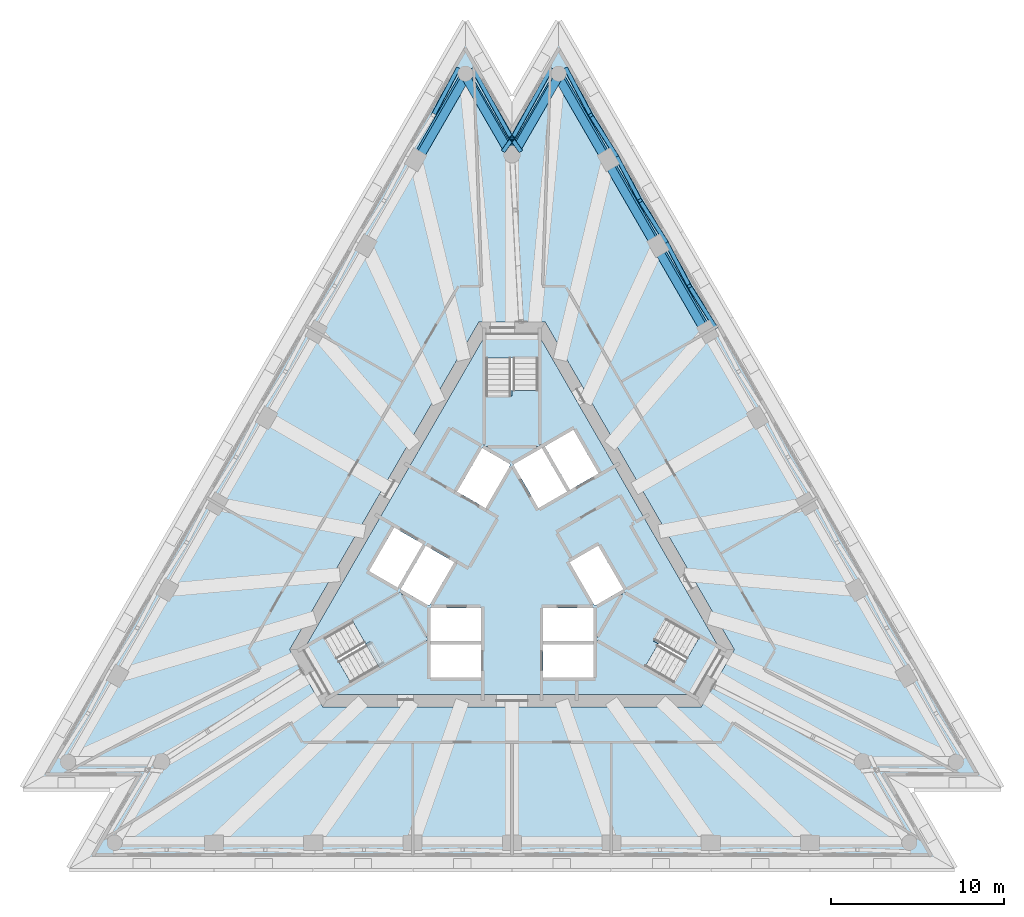
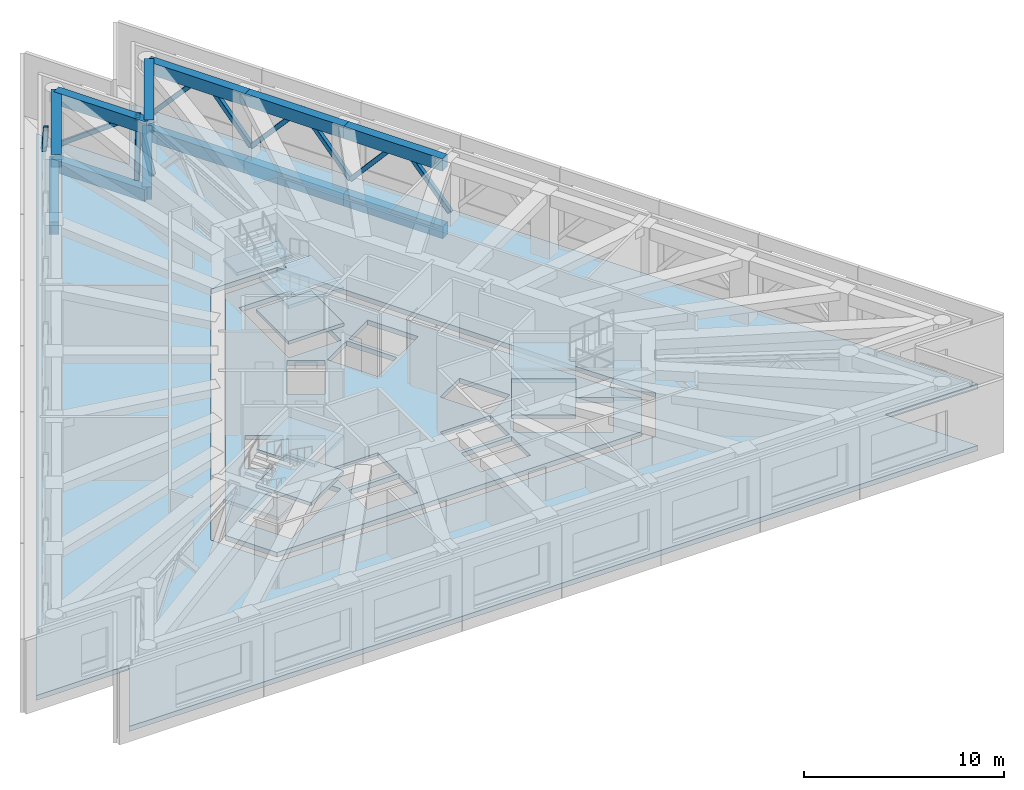
# One storey, part 4 of 12: 12 beams, 11 members, 11 slabs, 3 elements without a shape of their own.
"""IFC4 building model written with IfcOpenShell, lengths in metres."""

from ifc_helpers import new_model, si_unit, direction, frame, origin, origin_2d, place, context, subcontext, project, spatial, polyline, rectangle, hollow_rectangle, outline, extrude, material, layer, layer_set, material_profile, profile_set, type_object, element, aggregate, save


model = new_model("IFC4")

# Units and contexts
model_context = context("Model", 3, precision=1e-05, world=origin(), true_north=direction((0.0, 1.0)))
body_context = subcontext(model_context, "Body", "Model", "MODEL_VIEW")
ifc_project = project(units=[si_unit("LENGTHUNIT", "METRE"), si_unit("AREAUNIT", "SQUARE_METRE"), si_unit("VOLUMEUNIT", "CUBIC_METRE"), si_unit("PLANEANGLEUNIT", "RADIAN"), si_unit("MASSUNIT", "GRAM", prefix="KILO")], contexts=[model_context])

# Site, building, storey
site_placement = place(None, origin())
site = spatial("IfcSite", under=ifc_project, at=site_placement, CompositionType="ELEMENT")
building_placement = place(site_placement, origin())
building = spatial("IfcBuilding", under=site, at=building_placement, Name="Triada Interchange Tower", CompositionType="ELEMENT")
storey_placement = place(building_placement, frame((0.0, 0.0, 251.300048828125)))
storey = spatial("IfcBuildingStorey", under=building, at=storey_placement, Name="L59", CompositionType="ELEMENT", Elevation=251.300048828125)

# Members
ifc_material_1 = material(Name="Steel S355", Category="steel")
ifc_material_profile_1 = material_profile(ifc_material_1, hollow_rectangle(XDim=0.25, YDim=0.25, WallThickness=0.012451171875, InnerFilletRadius=0.012451171875, OuterFilletRadius=0.018798828125, at=origin_2d()), Name="RHS 250x250x12.5")
ifc_profile_set_1 = profile_set([ifc_material_profile_1], Name="Steel S355")
member_type = type_object("IfcMemberType", Name="Belt truss diagonal RHS 250x250x12.5", PredefinedType="BRACE", material=ifc_profile_set_1)
member_1_placement = place(storey_placement, frame((-3.132080078125, 28.26806640625, 0.14990234375), z_axis=(-0.311246944388, -0.587310391504, 0.747122375278), x_axis=(0.883590057586, -0.468261262689, 0.0)))
element("IfcMember", 1, at=member_1_placement, inside=storey, type_object=member_type, Name="Belt truss diagonal 001 L59", PredefinedType="BRACE", context=body_context, shape_type="SweptSolid", body=[
    extrude(hollow_rectangle(XDim=0.25, YDim=0.25, WallThickness=0.012451171875, InnerFilletRadius=0.012451171875, OuterFilletRadius=0.018798828125, at=origin_2d()), origin(), (0.0, 0.0, 1.0), 4.517333984375),
])
member_2_placement = place(storey_placement, frame((11.72509765625, 13.384033203125, 0.14990234375), z_axis=(-0.340973984833, 0.541154406457, 0.768692819037), x_axis=(-0.846058581789, -0.533089932545, 0.0)))
element("IfcMember", 2, at=member_2_placement, inside=storey, type_object=member_type, Name="Belt truss diagonal 051 L59", PredefinedType="BRACE", context=body_context, shape_type="SweptSolid", body=[
    extrude(hollow_rectangle(XDim=0.25, YDim=0.25, WallThickness=0.012451171875, InnerFilletRadius=0.012451171875, OuterFilletRadius=0.018798828125, at=origin_2d()), origin(), (0.0, 0.0, 1.0), 4.390625),
])
member_3_placement = place(storey_placement, frame((8.861083984375, 18.344970703125, 0.14990234375), z_axis=(0.306108274129, -0.578866655916, 0.755785101189), x_axis=(0.884009183031, 0.467469533036, 0.0)))
element("IfcMember", 3, at=member_3_placement, inside=storey, type_object=member_type, Name="Belt truss diagonal 052 L59", PredefinedType="BRACE", context=body_context, shape_type="SweptSolid", body=[
    extrude(hollow_rectangle(XDim=0.25, YDim=0.25, WallThickness=0.012451171875, InnerFilletRadius=0.012451171875, OuterFilletRadius=0.018798828125, at=origin_2d()), origin(), (0.0, 0.0, 1.0), 4.465576171875),
])
member_4_placement = place(storey_placement, frame((8.861083984375, 18.345947265625, 0.14990234375), z_axis=(-0.338743550582, 0.536409191273, 0.772992876072), x_axis=(-0.845518223273, -0.533946564848, 0.0)))
element("IfcMember", 4, at=member_4_placement, inside=storey, type_object=member_type, Name="Belt truss diagonal 053 L59", PredefinedType="BRACE", context=body_context, shape_type="SweptSolid", body=[
    extrude(hollow_rectangle(XDim=0.25, YDim=0.25, WallThickness=0.012451171875, InnerFilletRadius=0.012451171875, OuterFilletRadius=0.018798828125, at=origin_2d()), origin(), (0.0, 0.0, 1.0), 4.3662109375),
])
member_5_placement = place(storey_placement, frame((5.99609375, 23.30810546875, 0.14990234375), z_axis=(0.308556702414, -0.583306417175, 0.751363018173), x_axis=(0.883946141034, 0.467588729282, 0.0)))
element("IfcMember", 5, at=member_5_placement, inside=storey, type_object=member_type, Name="Belt truss diagonal 054 L59", PredefinedType="BRACE", context=body_context, shape_type="SweptSolid", body=[
    extrude(hollow_rectangle(XDim=0.25, YDim=0.25, WallThickness=0.012451171875, InnerFilletRadius=0.012451171875, OuterFilletRadius=0.018798828125, at=origin_2d()), origin(), (0.0, 0.0, 1.0), 4.491943359375),
])
member_6_placement = place(storey_placement, frame((5.99609375, 23.306884765625, 0.14990234375), z_axis=(-0.335873730977, 0.531706338356, 0.777481322343), x_axis=(-0.845446400215, -0.534060281583, 0.0)))
element("IfcMember", 6, at=member_6_placement, inside=storey, type_object=member_type, Name="Belt truss diagonal 055 L59", PredefinedType="BRACE", context=body_context, shape_type="SweptSolid", body=[
    extrude(hollow_rectangle(XDim=0.25, YDim=0.25, WallThickness=0.012451171875, InnerFilletRadius=0.012451171875, OuterFilletRadius=0.018798828125, at=origin_2d()), origin(), (0.0, 0.0, 1.0), 4.3408203125),
])
member_7_placement = place(storey_placement, frame((3.132080078125, 28.26806640625, 0.14990234375), z_axis=(0.311246944388, -0.587310391504, 0.747122375278), x_axis=(0.883590057586, 0.468261262689, 0.0)))
element("IfcMember", 7, at=member_7_placement, inside=storey, type_object=member_type, Name="Belt truss diagonal 056 L59", PredefinedType="BRACE", context=body_context, shape_type="SweptSolid", body=[
    extrude(hollow_rectangle(XDim=0.25, YDim=0.25, WallThickness=0.012451171875, InnerFilletRadius=0.012451171875, OuterFilletRadius=0.018798828125, at=origin_2d()), origin(), (0.0, 0.0, 1.0), 4.517333984375),
])
member_8_placement = place(storey_placement, frame((2.239990234375, 28.26904296875, 0.14990234375), z_axis=(-0.389192631569, -0.702632312927, 0.595681901994), x_axis=(0.874768967391, -0.484540249814, 0.0)))
element("IfcMember", 8, at=member_8_placement, inside=storey, type_object=member_type, Name="Belt truss diagonal 057 L59", PredefinedType="BRACE", context=body_context, shape_type="SweptSolid", body=[
    extrude(hollow_rectangle(XDim=0.25, YDim=0.25, WallThickness=0.012451171875, InnerFilletRadius=0.012451171875, OuterFilletRadius=0.018798828125, at=origin_2d()), origin(), (0.0, 0.0, 1.0), 5.665771484375),
])
for number, where, z_axis, x_axis, name in (
    (9, (-0.446044921875, 23.616943359375, 0.14990234375), (0.138423518178, 0.193160533742, 0.971353662586), (-0.812833460652, 0.582496150412, 0.0), "Belt truss diagonal 058 L59"),
    (10, (0.446044921875, 23.616943359375, 0.14990234375), (-0.138423518178, 0.193160533742, 0.971353662586), (-0.812833460652, -0.582496150412, 0.0), "Belt truss diagonal 059 L59"),
):
    element("IfcMember", number, at=place(storey_placement, frame(where, z_axis=z_axis, x_axis=x_axis)), inside=storey, type_object=member_type, Name=name, PredefinedType="BRACE", context=body_context, shape_type="SweptSolid", body=[
        extrude(hollow_rectangle(XDim=0.25, YDim=0.25, WallThickness=0.012451171875, InnerFilletRadius=0.012451171875, OuterFilletRadius=0.018798828125, at=origin_2d()), origin(), (0.0, 0.0, 1.0), 3.474609375),
    ])
member_9_placement = place(storey_placement, frame((-2.239990234375, 28.26904296875, 0.14990234375), z_axis=(0.389192631569, -0.702632312927, 0.595681901994), x_axis=(0.874768967391, 0.484540249814, 0.0)))
element("IfcMember", 11, at=member_9_placement, inside=storey, type_object=member_type, Name="Belt truss diagonal 060 L59", PredefinedType="BRACE", context=body_context, shape_type="SweptSolid", body=[
    extrude(hollow_rectangle(XDim=0.25, YDim=0.25, WallThickness=0.012451171875, InnerFilletRadius=0.012451171875, OuterFilletRadius=0.018798828125, at=origin_2d()), origin(), (0.0, 0.0, 1.0), 5.665771484375),
])

# Beams
ifc_material_2 = material(Name="Concrete C50/60", Category="concrete")
ifc_material_profile_2 = material_profile(ifc_material_2, rectangle(XDim=0.5, YDim=0.75, at=origin_2d()), Name="RC 500x750")
ifc_profile_set_2 = profile_set([ifc_material_profile_2], Name="Concrete C50/60")
beam_type = type_object("IfcBeamType", Name="Spandrel beam C RC 500x750", PredefinedType="BEAM", material=ifc_profile_set_2)
for number, where, z_axis, x_axis, name in (
    (12, (-2.68603515625, 28.010986328125, -0.675048828125), (-0.499975787251, -0.86603938257, 0.0), (0.86603938257, -0.499975787251, 0.0), "Spandrel beam EC01 L59"),
    (13, (11.279052734375, 13.126953125, -0.675048828125), (-0.499975787251, 0.86603938257, 0.0), (-0.86603938257, -0.499975787251, 0.0), "Spandrel beam EC26 L59"),
):
    element("IfcBeam", number, at=place(storey_placement, frame(where, z_axis=z_axis, x_axis=x_axis)), inside=storey, type_object=beam_type, Name=name, PredefinedType="BEAM", context=body_context, shape_type="SweptSolid", body=[
        extrude(rectangle(XDim=0.5, YDim=0.75, at=origin_2d()), origin(), (0.0, 0.0, 1.0), 5.728271484375),
    ])
beam_1_placement = place(storey_placement, frame((8.4150390625, 18.087890625, -0.675048828125), z_axis=(-0.500011369369, 0.866018839577, 0.0), x_axis=(-0.866018839577, -0.500011369369, 0.0)))
element("IfcBeam", 14, at=beam_1_placement, inside=storey, type_object=beam_type, Name="Spandrel beam EC27 L59", PredefinedType="BEAM", context=body_context, shape_type="SweptSolid", body=[
    extrude(rectangle(XDim=0.5, YDim=0.75, at=origin_2d()), origin(), (0.0, 0.0, 1.0), 5.729736328125),
])
beam_2_placement = place(storey_placement, frame((5.550048828125, 23.050048828125, -0.675048828125), z_axis=(-0.499975787251, 0.86603938257, 0.0), x_axis=(-0.86603938257, -0.499975787251, 0.0)))
element("IfcBeam", 15, at=beam_2_placement, inside=storey, type_object=beam_type, Name="Spandrel beam EC28 L59", PredefinedType="BEAM", context=body_context, shape_type="SweptSolid", body=[
    extrude(rectangle(XDim=0.5, YDim=0.75, at=origin_2d()), origin(), (0.0, 0.0, 1.0), 5.728271484375),
])
for number, where, z_axis, x_axis, name in (
    (16, (2.68603515625, 28.010986328125, -0.675048828125), (-0.500020131808, -0.866013780368, 0.0), (0.866013780368, -0.500020131808, 0.0), "Spandrel beam EC29 L59"),
    (17, (0.0, 23.35888671875, -0.675048828125), (-0.500020131808, 0.866013780368, 0.0), (-0.866013780368, -0.500020131808, 0.0), "Spandrel beam EC30 L59"),
):
    element("IfcBeam", number, at=place(storey_placement, frame(where, z_axis=z_axis, x_axis=x_axis)), inside=storey, type_object=beam_type, Name=name, PredefinedType="BEAM", context=body_context, shape_type="SweptSolid", body=[
        extrude(rectangle(XDim=0.5, YDim=0.75, at=origin_2d()), origin(), (0.0, 0.0, 1.0), 5.371826171875),
    ])
for number, where, z_axis, x_axis, name in (
    (18, (-2.6689453125, 27.821044921875, 3.52490234375), (-0.500048088601, -0.865997638038, 0.0), (0.865997638038, -0.500048088601, 0.0), "Spandrel beam EC01 L60"),
    (19, (11.2041015625, 13.0390625, 3.52490234375), (-0.500080269151, 0.865979055408, 0.0), (-0.865979055408, -0.500080269151, 0.0), "Spandrel beam EC26 L60"),
):
    element("IfcBeam", number, at=place(storey_placement, frame(where, z_axis=z_axis, x_axis=x_axis)), inside=storey, type_object=beam_type, Name=name, PredefinedType="BEAM", context=body_context, shape_type="SweptSolid", body=[
        extrude(rectangle(XDim=0.5, YDim=0.75, at=origin_2d()), origin(), (0.0, 0.0, 1.0), 5.689453125),
    ])
beam_3_placement = place(storey_placement, frame((8.35888671875, 17.966064453125, 3.52490234375), z_axis=(-0.499973768087, 0.866040548257, 0.0), x_axis=(-0.866040548257, -0.499973768087, 0.0)))
element("IfcBeam", 20, at=beam_3_placement, inside=storey, type_object=beam_type, Name="Spandrel beam EC27 L60", PredefinedType="BEAM", context=body_context, shape_type="SweptSolid", body=[
    extrude(rectangle(XDim=0.5, YDim=0.75, at=origin_2d()), origin(), (0.0, 0.0, 1.0), 5.690185546875),
])
beam_4_placement = place(storey_placement, frame((5.513916015625, 22.89404296875, 3.52490234375), z_axis=(-0.500048088601, 0.865997638038, 0.0), x_axis=(-0.865997638038, -0.500048088601, 0.0)))
element("IfcBeam", 21, at=beam_4_placement, inside=storey, type_object=beam_type, Name="Spandrel beam EC28 L60", PredefinedType="BEAM", context=body_context, shape_type="SweptSolid", body=[
    extrude(rectangle(XDim=0.5, YDim=0.75, at=origin_2d()), origin(), (0.0, 0.0, 1.0), 5.689453125),
])
for number, where, z_axis, x_axis, name in (
    (22, (2.6689453125, 27.821044921875, 3.52490234375), (-0.499975827765, -0.866039359181, 0.0), (0.866039359181, -0.499975827765, 0.0), "Spandrel beam EC29 L60"),
    (23, (0.0, 23.197998046875, 3.52490234375), (-0.499975827765, 0.866039359181, 0.0), (-0.866039359181, -0.499975827765, 0.0), "Spandrel beam EC30 L60"),
):
    element("IfcBeam", number, at=place(storey_placement, frame(where, z_axis=z_axis, x_axis=x_axis)), inside=storey, type_object=beam_type, Name=name, PredefinedType="BEAM", context=body_context, shape_type="SweptSolid", body=[
        extrude(rectangle(XDim=0.5, YDim=0.75, at=origin_2d()), origin(), (0.0, 0.0, 1.0), 5.338134765625),
    ])

# Slabs
ifc_layer_1 = layer(ifc_material_2, 0.300048828125)
ifc_layer_set_1 = layer_set([ifc_layer_1], Name="Floor slab 300")
slab_type_1 = type_object("IfcSlabType", Name="Floor slab 300", PredefinedType="FLOOR", material=ifc_layer_set_1)
slab_1_placement = place(storey_placement, frame((0.0, 0.0, -0.300048828125)))
element("IfcSlab", 24, at=slab_1_placement, inside=storey, type_object=slab_type_1, Name="Floor slab L59", PredefinedType="FLOOR", context=body_context, shape_type="SweptSolid", body=[
    extrude(outline(polyline([(-2.68603515625, 29.81103515625), (-27.159912109375, -12.5791015625), (-21.7880859375, -12.5791015625), (-24.47412109375, -17.23193359375), (24.47412109375, -17.23193359375), (21.7880859375, -12.5791015625), (27.159912109375, -12.5791015625), (2.68603515625, 29.81103515625), (0.0, 25.158935546875), (-2.68603515625, 29.81103515625)]), holes=[polyline([(1.905029296875, 13.699951171875), (-1.905029296875, 13.699951171875), (-12.81689453125, -5.199951171875), (-10.912109375, -8.5), (10.912109375, -8.5), (12.81689453125, -5.199951171875), (1.905029296875, 13.699951171875)])]), origin(), (0.0, 0.0, 1.0), 0.300048828125),
])
slab_2_placement = place(storey_placement, frame((0.0, 0.0, -0.300048828125)))
element("IfcSlab", 25, at=slab_2_placement, inside=storey, type_object=slab_type_1, Name="Core floor slab L59 1", PredefinedType="FLOOR", context=body_context, shape_type="SweptSolid", body=[
    extrude(outline(polyline([(12.009033203125, -5.199951171875), (10.508056640625, -7.800048828125), (-10.508056640625, -7.800048828125), (-12.009033203125, -5.199951171875), (-1.5009765625, 13.0), (1.5009765625, 13.0), (12.009033203125, -5.199951171875)]), holes=[polyline([(9.2958984375, -7.09912109375), (10.7958984375, -4.5009765625), (6.466064453125, -2.0009765625), (4.966064453125, -4.59912109375), (9.2958984375, -7.09912109375)]), polyline([(4.77490234375, -2.669921875), (6.419921875, -1.719970703125), (4.969970703125, 0.791015625), (4.137939453125, 0.31103515625), (3.324951171875, -0.158935546875), (4.77490234375, -2.669921875)]), polyline([(1.89404296875, 6.52001953125), (3.343994140625, 4.009033203125), (4.989013671875, 4.958984375), (3.5390625, 7.469970703125), (1.89404296875, 6.52001953125)]), polyline([(1.800048828125, -4.89990234375), (1.800048828125, -6.4990234375), (1.800048828125, -6.800048828125), (4.699951171875, -6.800048828125), (4.699951171875, -4.89990234375), (1.800048828125, -4.89990234375)]), polyline([(4.699951171875, -2.800048828125), (1.800048828125, -2.800048828125), (1.800048828125, -4.699951171875), (4.699951171875, -4.699951171875), (4.699951171875, -2.800048828125)]), polyline([(0.074951171875, 5.469970703125), (1.52490234375, 2.958984375), (3.169921875, 3.908935546875), (1.719970703125, 6.419921875), (0.074951171875, 5.469970703125)]), polyline([(-1.5, 11.60009765625), (-1.5, 6.60009765625), (1.5, 6.60009765625), (1.5, 11.60009765625), (-1.5, 11.60009765625)]), polyline([(-1.52490234375, 2.958984375), (-0.074951171875, 5.469970703125), (-1.719970703125, 6.419921875), (-3.169921875, 3.908935546875), (-1.52490234375, 2.958984375)]), polyline([(-1.800048828125, -2.800048828125), (-4.699951171875, -2.800048828125), (-4.699951171875, -4.699951171875), (-1.800048828125, -4.699951171875), (-1.800048828125, -2.800048828125)]), polyline([(-4.699951171875, -6.800048828125), (-1.800048828125, -6.800048828125), (-1.800048828125, -6.4990234375), (-1.800048828125, -4.89990234375), (-4.699951171875, -4.89990234375), (-4.699951171875, -6.800048828125)]), polyline([(-3.367919921875, -0.134033203125), (-4.969970703125, 0.791015625), (-6.419921875, -1.719970703125), (-4.77490234375, -2.669921875), (-3.324951171875, -0.158935546875), (-3.367919921875, -0.134033203125)]), polyline([(-10.7958984375, -4.5009765625), (-9.2958984375, -7.09912109375), (-4.966064453125, -4.59912109375), (-6.466064453125, -2.0009765625), (-10.7958984375, -4.5009765625)]), polyline([(-6.593994140625, -1.6201171875), (-5.14404296875, 0.89111328125), (-6.7890625, 1.841064453125), (-8.239013671875, -0.669921875), (-6.593994140625, -1.6201171875)])]), origin(), (0.0, 0.0, 1.0), 0.300048828125),
])

# Stair, slabs
ifc_material_3 = material(Name="Concrete C35/45", Category="concrete")
stair_type = type_object("IfcStairType", Name="HALF TURN STAIR 1400", PredefinedType="HALF_TURN_STAIR", material=ifc_material_3)
stair_1_placement = place(storey_placement, origin())
stair_1 = element("IfcStair", 26, at=stair_1_placement, inside=storey, type_object=stair_type, Name="Exit stair S59-1", PredefinedType="HALF_TURN_STAIR")
ifc_layer_2 = layer(ifc_material_3, 0.199951171875)
ifc_layer_set_2 = layer_set([ifc_layer_2], Name="STAIR LANDING 200")
slab_type_2 = type_object("IfcSlabType", Name="STAIR LANDING 200", PredefinedType="LANDING", material=ifc_layer_set_2)
slab_3_placement = place(storey_placement, frame((0.0, 0.0, 0.88623046875)))
slab_3 = element("IfcSlab", 27, at=slab_3_placement, type_object=slab_type_2, Name="S59-1 landing 1", PredefinedType="LANDING", context=body_context, shape_type="SweptSolid", body=[
    extrude(outline(polyline([(1.60009765625, 6.5), (1.60009765625, 9.739990234375), (-1.60009765625, 9.739990234375), (-1.60009765625, 6.5), (1.60009765625, 6.5)])), origin(), (0.0, 0.0, 1.0), 0.199951171875),
])
slab_4_placement = place(storey_placement, frame((0.0, 0.0, 3.05859375)))
slab_4 = element("IfcSlab", 28, at=slab_4_placement, type_object=slab_type_2, Name="S59-1 landing 2", PredefinedType="LANDING", context=body_context, shape_type="SweptSolid", body=[
    extrude(outline(polyline([(1.60009765625, 6.5), (1.60009765625, 9.739990234375), (0.0, 9.739990234375), (0.0, 9.429931640625), (-1.60009765625, 9.429931640625), (-1.60009765625, 6.5), (1.60009765625, 6.5)])), origin(), (0.0, 0.0, 1.0), 0.199951171875),
])
slab_5_placement = place(storey_placement, frame((0.0, 0.0, 1.972412109375)))
slab_5 = element("IfcSlab", 29, at=slab_5_placement, type_object=slab_type_2, Name="S59-1 landing 3", PredefinedType="LANDING", context=body_context, shape_type="SweptSolid", body=[
    extrude(outline(polyline([(1.60009765625, 11.60009765625), (1.60009765625, 13.0), (-1.60009765625, 13.0), (-1.60009765625, 11.60009765625), (1.60009765625, 11.60009765625)])), origin(), (0.0, 0.0, 1.0), 0.199951171875),
])
aggregate(stair_1, [slab_3, slab_4, slab_5])

stair_2_placement = place(storey_placement, origin())
stair_2 = element("IfcStair", 30, at=stair_2_placement, inside=storey, type_object=stair_type, Name="Exit stair S59-2", PredefinedType="HALF_TURN_STAIR")
slab_6_placement = place(storey_placement, frame((0.0, 0.0, 0.88623046875)))
slab_6 = element("IfcSlab", 31, at=slab_6_placement, type_object=slab_type_2, Name="S59-2 landing 1", PredefinedType="LANDING", context=body_context, shape_type="SweptSolid", body=[
    extrude(outline(polyline([(-6.428955078125, -1.864013671875), (-9.235107421875, -3.48388671875), (-7.635009765625, -6.256103515625), (-4.8291015625, -4.635986328125), (-6.428955078125, -1.864013671875)])), origin(), (0.0, 0.0, 1.0), 0.199951171875),
])
slab_7_placement = place(storey_placement, frame((0.0, 0.0, 3.05859375)))
slab_7 = element("IfcSlab", 32, at=slab_7_placement, type_object=slab_type_2, Name="S59-2 landing 2", PredefinedType="LANDING", context=body_context, shape_type="SweptSolid", body=[
    extrude(outline(polyline([(-6.428955078125, -1.864013671875), (-9.235107421875, -3.48388671875), (-8.43505859375, -4.8701171875), (-8.1669921875, -4.715087890625), (-7.366943359375, -6.10107421875), (-4.8291015625, -4.635986328125), (-6.428955078125, -1.864013671875)])), origin(), (0.0, 0.0, 1.0), 0.199951171875),
])
slab_8_placement = place(storey_placement, frame((0.0, 0.0, 1.972412109375)))
slab_8 = element("IfcSlab", 33, at=slab_8_placement, type_object=slab_type_2, Name="S59-2 landing 3", PredefinedType="LANDING", context=body_context, shape_type="SweptSolid", body=[
    extrude(outline(polyline([(-10.845947265625, -4.4140625), (-12.05810546875, -5.114013671875), (-10.4580078125, -7.885986328125), (-9.24609375, -7.18603515625), (-10.845947265625, -4.4140625)])), origin(), (0.0, 0.0, 1.0), 0.199951171875),
])
aggregate(stair_2, [slab_6, slab_7, slab_8])

stair_3_placement = place(storey_placement, origin())
stair_3 = element("IfcStair", 34, at=stair_3_placement, inside=storey, type_object=stair_type, Name="Exit stair S59-3", PredefinedType="HALF_TURN_STAIR")
slab_9_placement = place(storey_placement, frame((0.0, 0.0, 0.88623046875)))
slab_9 = element("IfcSlab", 35, at=slab_9_placement, type_object=slab_type_2, Name="S59-3 landing 1", PredefinedType="LANDING", context=body_context, shape_type="SweptSolid", body=[
    extrude(outline(polyline([(4.8291015625, -4.635986328125), (7.635009765625, -6.256103515625), (9.235107421875, -3.48388671875), (6.428955078125, -1.864013671875), (4.8291015625, -4.635986328125)])), origin(), (0.0, 0.0, 1.0), 0.199951171875),
])
slab_10_placement = place(storey_placement, frame((0.0, 0.0, 3.05859375)))
slab_10 = element("IfcSlab", 36, at=slab_10_placement, type_object=slab_type_2, Name="S59-3 landing 2", PredefinedType="LANDING", context=body_context, shape_type="SweptSolid", body=[
    extrude(outline(polyline([(4.8291015625, -4.635986328125), (7.635009765625, -6.256103515625), (8.43505859375, -4.8701171875), (8.1669921875, -4.715087890625), (8.967041015625, -3.3291015625), (6.428955078125, -1.864013671875), (4.8291015625, -4.635986328125)])), origin(), (0.0, 0.0, 1.0), 0.199951171875),
])
slab_11_placement = place(storey_placement, frame((0.0, 0.0, 1.972412109375)))
slab_11 = element("IfcSlab", 37, at=slab_11_placement, type_object=slab_type_2, Name="S59-3 landing 3", PredefinedType="LANDING", context=body_context, shape_type="SweptSolid", body=[
    extrude(outline(polyline([(9.24609375, -7.18603515625), (10.4580078125, -7.885986328125), (12.05810546875, -5.114013671875), (10.845947265625, -4.4140625), (9.24609375, -7.18603515625)])), origin(), (0.0, 0.0, 1.0), 0.199951171875),
])
aggregate(stair_3, [slab_9, slab_10, slab_11])

save(model, "model.ifc")
